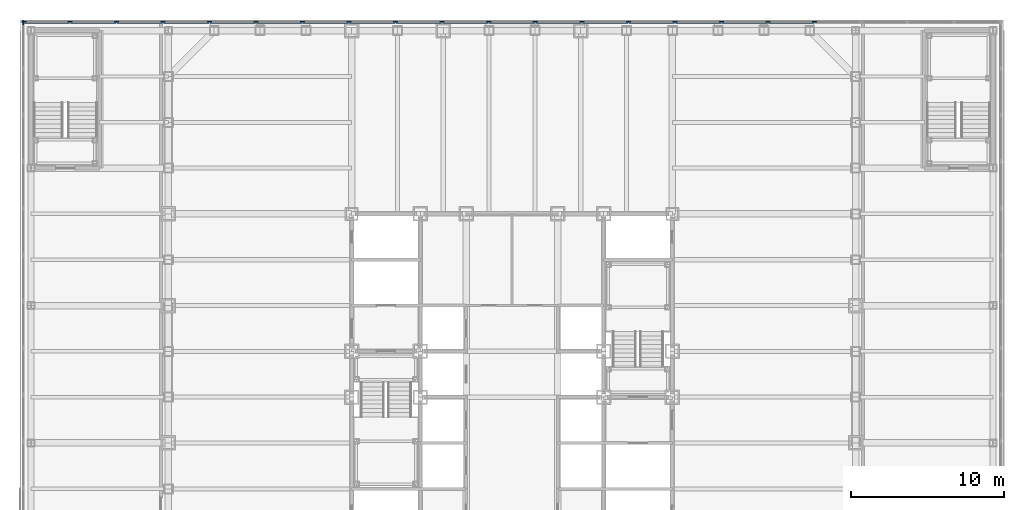
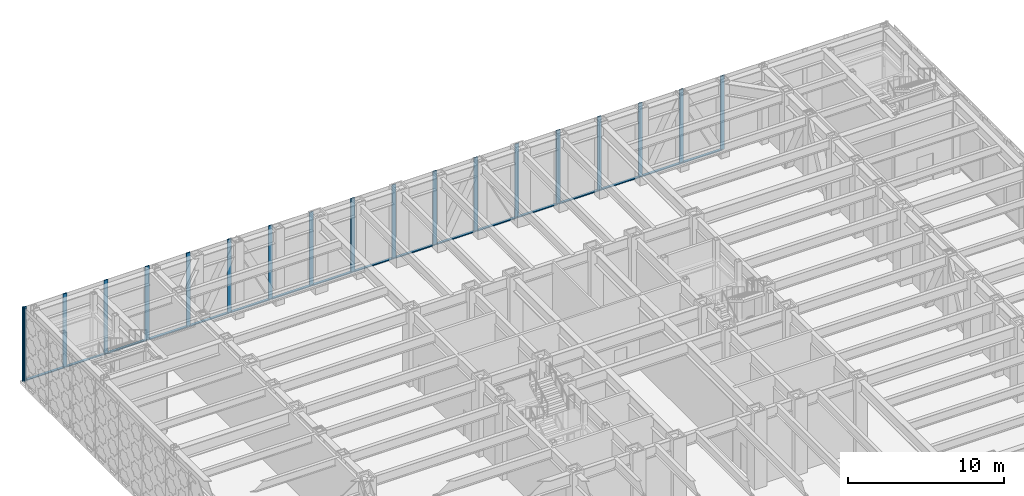
# One storey, part 11 of 32: 36 members, 2 elements without a shape of their own.
"""IFC4 building model written with IfcOpenShell, lengths in metres."""

from ifc_helpers import new_model, si_unit, direction, frame, origin, origin_2d, place, context, subcontext, project, spatial, rectangle, extrude, material, layer, layer_set, material_profile, profile_set, type_object, element, aggregate, save


model = new_model("IFC4")

# Units and contexts
model_context = context("Model", 3, precision=1e-05, world=origin(), true_north=direction((0.0, 1.0)))
body_context = subcontext(model_context, "Body", "Model", "MODEL_VIEW")
ifc_project = project(units=[si_unit("LENGTHUNIT", "METRE"), si_unit("AREAUNIT", "SQUARE_METRE"), si_unit("VOLUMEUNIT", "CUBIC_METRE"), si_unit("PLANEANGLEUNIT", "RADIAN"), si_unit("MASSUNIT", "GRAM", prefix="KILO")], contexts=[model_context])

# Site, building, storey
site_placement = place(None, origin())
site = spatial("IfcSite", under=ifc_project, at=site_placement, CompositionType="ELEMENT")
building_placement = place(site_placement, origin())
building = spatial("IfcBuilding", under=site, at=building_placement, Name="Chuquiago Exchange Tower", CompositionType="ELEMENT")
storey_placement = place(building_placement, frame((0.0, 0.0, 13.5)))
storey = spatial("IfcBuildingStorey", under=building, at=storey_placement, Name="L02", CompositionType="ELEMENT", Elevation=13.5)

# Curtain wall, members
ifc_material_1 = material(Name="Aluminium curtain wall system", Category="aluminium")
ifc_layer = layer(ifc_material_1, 0.300048828125)
ifc_layer_set = layer_set([ifc_layer], Name="CW4 podium curtain wall")
curtain_wall_type = type_object("IfcCurtainWallType", Name="CW4 podium curtain wall", PredefinedType="NOTDEFINED", material=ifc_layer_set)
curtain_wall_1_placement = place(storey_placement, origin())
curtain_wall_1 = element("IfcCurtainWall", 1, at=curtain_wall_1_placement, inside=storey, type_object=curtain_wall_type, Name="CW4 curtain wall L02", PredefinedType="NOTDEFINED")
ifc_material_2 = material(Name="Aluminium mullion, pale anodised", Category="aluminium")
ifc_material_profile_1 = material_profile(ifc_material_2, rectangle(XDim=0.074951171875, YDim=0.300048828125, at=origin_2d()), Name="AL 75x300")
ifc_profile_set_1 = profile_set([ifc_material_profile_1], Name="Aluminium mullion, pale anodised")
member_type_1 = type_object("IfcMemberType", Name="CW4-M mullion 75x300", PredefinedType="MULLION", material=ifc_profile_set_1)
member_1_placement = place(storey_placement, frame((42.3095703125, 45.574951171875, 0.0), z_axis=(0.0, 0.0, 1.0), x_axis=(0.0, -1.0, 0.0)))
member_1 = element("IfcMember", 2, at=member_1_placement, type_object=member_type_1, Name="CW4 mullion 5", PredefinedType="MULLION", context=body_context, shape_type="SweptSolid", body=[
    extrude(rectangle(XDim=0.074951171875, YDim=0.300048828125, at=origin_2d()), origin(), (0.0, 0.0, 1.0), 5.800048828125),
])
member_2_placement = place(storey_placement, frame((39.261962890625, 45.574951171875, 0.0), z_axis=(0.0, 0.0, 1.0), x_axis=(0.0, -1.0, 0.0)))
member_2 = element("IfcMember", 3, at=member_2_placement, type_object=member_type_1, Name="CW4 mullion 6", PredefinedType="MULLION", context=body_context, shape_type="SweptSolid", body=[
    extrude(rectangle(XDim=0.074951171875, YDim=0.300048828125, at=origin_2d()), origin(), (0.0, 0.0, 1.0), 5.800048828125),
])
member_3_placement = place(storey_placement, frame((36.21435546875, 45.574951171875, 0.0), z_axis=(0.0, 0.0, 1.0), x_axis=(0.0, -1.0, 0.0)))
member_3 = element("IfcMember", 4, at=member_3_placement, type_object=member_type_1, Name="CW4 mullion 7", PredefinedType="MULLION", context=body_context, shape_type="SweptSolid", body=[
    extrude(rectangle(XDim=0.074951171875, YDim=0.300048828125, at=origin_2d()), origin(), (0.0, 0.0, 1.0), 5.800048828125),
])
member_4_placement = place(storey_placement, frame((33.166748046875, 45.574951171875, 0.0), z_axis=(0.0, 0.0, 1.0), x_axis=(0.0, -1.0, 0.0)))
member_4 = element("IfcMember", 5, at=member_4_placement, type_object=member_type_1, Name="CW4 mullion 8", PredefinedType="MULLION", context=body_context, shape_type="SweptSolid", body=[
    extrude(rectangle(XDim=0.074951171875, YDim=0.300048828125, at=origin_2d()), origin(), (0.0, 0.0, 1.0), 5.800048828125),
])
member_5_placement = place(storey_placement, frame((30.119140625, 45.574951171875, 0.0), z_axis=(0.0, 0.0, 1.0), x_axis=(0.0, -1.0, 0.0)))
member_5 = element("IfcMember", 6, at=member_5_placement, type_object=member_type_1, Name="CW4 mullion 9", PredefinedType="MULLION", context=body_context, shape_type="SweptSolid", body=[
    extrude(rectangle(XDim=0.074951171875, YDim=0.300048828125, at=origin_2d()), origin(), (0.0, 0.0, 1.0), 5.800048828125),
])
member_6_placement = place(storey_placement, frame((27.071533203125, 45.574951171875, 0.0), z_axis=(0.0, 0.0, 1.0), x_axis=(0.0, -1.0, 0.0)))
member_6 = element("IfcMember", 7, at=member_6_placement, type_object=member_type_1, Name="CW4 mullion 10", PredefinedType="MULLION", context=body_context, shape_type="SweptSolid", body=[
    extrude(rectangle(XDim=0.074951171875, YDim=0.300048828125, at=origin_2d()), origin(), (0.0, 0.0, 1.0), 5.800048828125),
])
member_7_placement = place(storey_placement, frame((24.02392578125, 45.574951171875, 0.0), z_axis=(0.0, 0.0, 1.0), x_axis=(0.0, -1.0, 0.0)))
member_7 = element("IfcMember", 8, at=member_7_placement, type_object=member_type_1, Name="CW4 mullion 11", PredefinedType="MULLION", context=body_context, shape_type="SweptSolid", body=[
    extrude(rectangle(XDim=0.074951171875, YDim=0.300048828125, at=origin_2d()), origin(), (0.0, 0.0, 1.0), 5.800048828125),
])
member_8_placement = place(storey_placement, frame((20.97607421875, 45.574951171875, 0.0), z_axis=(0.0, 0.0, 1.0), x_axis=(0.0, -1.0, 0.0)))
member_8 = element("IfcMember", 9, at=member_8_placement, type_object=member_type_1, Name="CW4 mullion 12", PredefinedType="MULLION", context=body_context, shape_type="SweptSolid", body=[
    extrude(rectangle(XDim=0.074951171875, YDim=0.300048828125, at=origin_2d()), origin(), (0.0, 0.0, 1.0), 5.800048828125),
])
member_9_placement = place(storey_placement, frame((17.928466796875, 45.574951171875, 0.0), z_axis=(0.0, 0.0, 1.0), x_axis=(0.0, -1.0, 0.0)))
member_9 = element("IfcMember", 10, at=member_9_placement, type_object=member_type_1, Name="CW4 mullion 13", PredefinedType="MULLION", context=body_context, shape_type="SweptSolid", body=[
    extrude(rectangle(XDim=0.074951171875, YDim=0.300048828125, at=origin_2d()), origin(), (0.0, 0.0, 1.0), 5.800048828125),
])
member_10_placement = place(storey_placement, frame((14.880859375, 45.574951171875, 0.0), z_axis=(0.0, 0.0, 1.0), x_axis=(0.0, -1.0, 0.0)))
member_10 = element("IfcMember", 11, at=member_10_placement, type_object=member_type_1, Name="CW4 mullion 14", PredefinedType="MULLION", context=body_context, shape_type="SweptSolid", body=[
    extrude(rectangle(XDim=0.074951171875, YDim=0.300048828125, at=origin_2d()), origin(), (0.0, 0.0, 1.0), 5.800048828125),
])
member_11_placement = place(storey_placement, frame((11.833251953125, 45.574951171875, 0.0), z_axis=(0.0, 0.0, 1.0), x_axis=(0.0, -1.0, 0.0)))
member_11 = element("IfcMember", 12, at=member_11_placement, type_object=member_type_1, Name="CW4 mullion 15", PredefinedType="MULLION", context=body_context, shape_type="SweptSolid", body=[
    extrude(rectangle(XDim=0.074951171875, YDim=0.300048828125, at=origin_2d()), origin(), (0.0, 0.0, 1.0), 5.800048828125),
])
member_12_placement = place(storey_placement, frame((8.78564453125, 45.574951171875, 0.0), z_axis=(0.0, 0.0, 1.0), x_axis=(0.0, -1.0, 0.0)))
member_12 = element("IfcMember", 13, at=member_12_placement, type_object=member_type_1, Name="CW4 mullion 16", PredefinedType="MULLION", context=body_context, shape_type="SweptSolid", body=[
    extrude(rectangle(XDim=0.074951171875, YDim=0.300048828125, at=origin_2d()), origin(), (0.0, 0.0, 1.0), 5.800048828125),
])
member_13_placement = place(storey_placement, frame((5.738037109375, 45.574951171875, 0.0), z_axis=(0.0, 0.0, 1.0), x_axis=(0.0, -1.0, 0.0)))
member_13 = element("IfcMember", 14, at=member_13_placement, type_object=member_type_1, Name="CW4 mullion 17", PredefinedType="MULLION", context=body_context, shape_type="SweptSolid", body=[
    extrude(rectangle(XDim=0.074951171875, YDim=0.300048828125, at=origin_2d()), origin(), (0.0, 0.0, 1.0), 5.800048828125),
])
member_14_placement = place(storey_placement, frame((2.6904296875, 45.574951171875, 0.0), z_axis=(0.0, 0.0, 1.0), x_axis=(0.0, -1.0, 0.0)))
member_14 = element("IfcMember", 15, at=member_14_placement, type_object=member_type_1, Name="CW4 mullion 18", PredefinedType="MULLION", context=body_context, shape_type="SweptSolid", body=[
    extrude(rectangle(XDim=0.074951171875, YDim=0.300048828125, at=origin_2d()), origin(), (0.0, 0.0, 1.0), 5.800048828125),
])
member_15_placement = place(storey_placement, frame((-0.357177734375, 45.574951171875, 0.0), z_axis=(0.0, 0.0, 1.0), x_axis=(0.0, -1.0, 0.0)))
member_15 = element("IfcMember", 16, at=member_15_placement, type_object=member_type_1, Name="CW4 mullion 19", PredefinedType="MULLION", context=body_context, shape_type="SweptSolid", body=[
    extrude(rectangle(XDim=0.074951171875, YDim=0.300048828125, at=origin_2d()), origin(), (0.0, 0.0, 1.0), 5.800048828125),
])
member_16_placement = place(storey_placement, frame((-3.40478515625, 45.574951171875, 0.0), z_axis=(0.0, 0.0, 1.0), x_axis=(0.0, -1.0, 0.0)))
member_16 = element("IfcMember", 17, at=member_16_placement, type_object=member_type_1, Name="CW4 mullion 20", PredefinedType="MULLION", context=body_context, shape_type="SweptSolid", body=[
    extrude(rectangle(XDim=0.074951171875, YDim=0.300048828125, at=origin_2d()), origin(), (0.0, 0.0, 1.0), 5.800048828125),
])
member_17_placement = place(storey_placement, frame((-6.452392578125, 45.574951171875, 0.0), z_axis=(0.0, 0.0, 1.0), x_axis=(0.0, -1.0, 0.0)))
member_17 = element("IfcMember", 18, at=member_17_placement, type_object=member_type_1, Name="CW4 mullion 21", PredefinedType="MULLION", context=body_context, shape_type="SweptSolid", body=[
    extrude(rectangle(XDim=0.074951171875, YDim=0.300048828125, at=origin_2d()), origin(), (0.0, 0.0, 1.0), 5.800048828125),
])
member_18_placement = place(storey_placement, frame((-9.46240234375, 45.574951171875, 0.0), z_axis=(0.0, 0.0, 1.0), x_axis=(0.0, -1.0, 0.0)))
member_18 = element("IfcMember", 19, at=member_18_placement, type_object=member_type_1, Name="CW4 mullion 22", PredefinedType="MULLION", context=body_context, shape_type="SweptSolid", body=[
    extrude(rectangle(XDim=0.074951171875, YDim=0.300048828125, at=origin_2d()), origin(), (0.0, 0.0, 1.0), 5.800048828125),
])

# Curtain wall, member
curtain_wall_2_placement = place(storey_placement, origin())
curtain_wall_2 = element("IfcCurtainWall", 20, at=curtain_wall_2_placement, inside=storey, type_object=curtain_wall_type, Name="CW4 curtain wall L02", PredefinedType="NOTDEFINED")
member_19_placement = place(storey_placement, frame((-9.5, 45.53759765625, 0.0), z_axis=(0.0, 0.0, 1.0), x_axis=(1.0, 0.0, 0.0)))
member_19 = element("IfcMember", 21, at=member_19_placement, type_object=member_type_1, Name="CW4 mullion 1", PredefinedType="MULLION", context=body_context, shape_type="SweptSolid", body=[
    extrude(rectangle(XDim=0.074951171875, YDim=0.300048828125, at=origin_2d()), origin(), (0.0, 0.0, 1.0), 5.800048828125),
])
aggregate(curtain_wall_2, [member_19])

# Member
ifc_material_3 = material(Name="Aluminium transom, pale anodised", Category="aluminium")
ifc_material_profile_2 = material_profile(ifc_material_3, rectangle(XDim=0.179931640625, YDim=0.074951171875, at=origin_2d()), Name="AL 180x75")
ifc_profile_set_2 = profile_set([ifc_material_profile_2], Name="Aluminium transom, pale anodised")
member_type_2 = type_object("IfcMemberType", Name="CW4-T transom 75x180", PredefinedType="MULLION", material=ifc_profile_set_2)
member_20_placement = place(storey_placement, frame((42.27197265625, 45.574951171875, 0.03759765625), z_axis=(-1.0, 0.0, 0.0), x_axis=(0.0, -1.0, 0.0)))
member_20 = element("IfcMember", 22, at=member_20_placement, type_object=member_type_2, Name="CW4 transom 5.1", PredefinedType="MULLION", context=body_context, shape_type="SweptSolid", body=[
    extrude(rectangle(XDim=0.179931640625, YDim=0.074951171875, at=origin_2d()), origin(), (0.0, 0.0, 1.0), 2.97265625),
])

member_21_placement = place(storey_placement, frame((39.224365234375, 45.574951171875, 0.03759765625), z_axis=(-1.0, 0.0, 0.0), x_axis=(0.0, -1.0, 0.0)))
member_21 = element("IfcMember", 23, at=member_21_placement, type_object=member_type_2, Name="CW4 transom 6.1", PredefinedType="MULLION", context=body_context, shape_type="SweptSolid", body=[
    extrude(rectangle(XDim=0.179931640625, YDim=0.074951171875, at=origin_2d()), origin(), (0.0, 0.0, 1.0), 2.97265625),
])

member_22_placement = place(storey_placement, frame((36.1767578125, 45.574951171875, 0.03759765625), z_axis=(-1.0, 0.0, 0.0), x_axis=(0.0, -1.0, 0.0)))
member_22 = element("IfcMember", 24, at=member_22_placement, type_object=member_type_2, Name="CW4 transom 7.1", PredefinedType="MULLION", context=body_context, shape_type="SweptSolid", body=[
    extrude(rectangle(XDim=0.179931640625, YDim=0.074951171875, at=origin_2d()), origin(), (0.0, 0.0, 1.0), 2.97265625),
])

member_23_placement = place(storey_placement, frame((33.129150390625, 45.574951171875, 0.03759765625), z_axis=(-1.0, 0.0, 0.0), x_axis=(0.0, -1.0, 0.0)))
member_23 = element("IfcMember", 25, at=member_23_placement, type_object=member_type_2, Name="CW4 transom 8.1", PredefinedType="MULLION", context=body_context, shape_type="SweptSolid", body=[
    extrude(rectangle(XDim=0.179931640625, YDim=0.074951171875, at=origin_2d()), origin(), (0.0, 0.0, 1.0), 2.97265625),
])

member_24_placement = place(storey_placement, frame((30.08154296875, 45.574951171875, 0.03759765625), z_axis=(-1.0, 0.0, 0.0), x_axis=(0.0, -1.0, 0.0)))
member_24 = element("IfcMember", 26, at=member_24_placement, type_object=member_type_2, Name="CW4 transom 9.1", PredefinedType="MULLION", context=body_context, shape_type="SweptSolid", body=[
    extrude(rectangle(XDim=0.179931640625, YDim=0.074951171875, at=origin_2d()), origin(), (0.0, 0.0, 1.0), 2.97265625),
])

member_25_placement = place(storey_placement, frame((27.033935546875, 45.574951171875, 0.03759765625), z_axis=(-1.0, 0.0, 0.0), x_axis=(0.0, -1.0, 0.0)))
member_25 = element("IfcMember", 27, at=member_25_placement, type_object=member_type_2, Name="CW4 transom 10.1", PredefinedType="MULLION", context=body_context, shape_type="SweptSolid", body=[
    extrude(rectangle(XDim=0.179931640625, YDim=0.074951171875, at=origin_2d()), origin(), (0.0, 0.0, 1.0), 2.97265625),
])

member_26_placement = place(storey_placement, frame((23.986328125, 45.574951171875, 0.03759765625), z_axis=(-1.0, 0.0, 0.0), x_axis=(0.0, -1.0, 0.0)))
member_26 = element("IfcMember", 28, at=member_26_placement, type_object=member_type_2, Name="CW4 transom 11.1", PredefinedType="MULLION", context=body_context, shape_type="SweptSolid", body=[
    extrude(rectangle(XDim=0.179931640625, YDim=0.074951171875, at=origin_2d()), origin(), (0.0, 0.0, 1.0), 2.97265625),
])

member_27_placement = place(storey_placement, frame((20.938720703125, 45.574951171875, 0.03759765625), z_axis=(-1.0, 0.0, 0.0), x_axis=(0.0, -1.0, 0.0)))
member_27 = element("IfcMember", 29, at=member_27_placement, type_object=member_type_2, Name="CW4 transom 12.1", PredefinedType="MULLION", context=body_context, shape_type="SweptSolid", body=[
    extrude(rectangle(XDim=0.179931640625, YDim=0.074951171875, at=origin_2d()), origin(), (0.0, 0.0, 1.0), 2.97265625),
])

member_28_placement = place(storey_placement, frame((17.89111328125, 45.574951171875, 0.03759765625), z_axis=(-1.0, 0.0, 0.0), x_axis=(0.0, -1.0, 0.0)))
member_28 = element("IfcMember", 30, at=member_28_placement, type_object=member_type_2, Name="CW4 transom 13.1", PredefinedType="MULLION", context=body_context, shape_type="SweptSolid", body=[
    extrude(rectangle(XDim=0.179931640625, YDim=0.074951171875, at=origin_2d()), origin(), (0.0, 0.0, 1.0), 2.97265625),
])

member_29_placement = place(storey_placement, frame((14.843505859375, 45.574951171875, 0.03759765625), z_axis=(-1.0, 0.0, 0.0), x_axis=(0.0, -1.0, 0.0)))
member_29 = element("IfcMember", 31, at=member_29_placement, type_object=member_type_2, Name="CW4 transom 14.1", PredefinedType="MULLION", context=body_context, shape_type="SweptSolid", body=[
    extrude(rectangle(XDim=0.179931640625, YDim=0.074951171875, at=origin_2d()), origin(), (0.0, 0.0, 1.0), 2.97265625),
])

member_30_placement = place(storey_placement, frame((11.7958984375, 45.574951171875, 0.03759765625), z_axis=(-1.0, 0.0, 0.0), x_axis=(0.0, -1.0, 0.0)))
member_30 = element("IfcMember", 32, at=member_30_placement, type_object=member_type_2, Name="CW4 transom 15.1", PredefinedType="MULLION", context=body_context, shape_type="SweptSolid", body=[
    extrude(rectangle(XDim=0.179931640625, YDim=0.074951171875, at=origin_2d()), origin(), (0.0, 0.0, 1.0), 2.97265625),
])

member_31_placement = place(storey_placement, frame((8.748291015625, 45.574951171875, 0.03759765625), z_axis=(-1.0, 0.0, 0.0), x_axis=(0.0, -1.0, 0.0)))
member_31 = element("IfcMember", 33, at=member_31_placement, type_object=member_type_2, Name="CW4 transom 16.1", PredefinedType="MULLION", context=body_context, shape_type="SweptSolid", body=[
    extrude(rectangle(XDim=0.179931640625, YDim=0.074951171875, at=origin_2d()), origin(), (0.0, 0.0, 1.0), 2.97265625),
])

member_32_placement = place(storey_placement, frame((5.70068359375, 45.574951171875, 0.03759765625), z_axis=(-1.0, 0.0, 0.0), x_axis=(0.0, -1.0, 0.0)))
member_32 = element("IfcMember", 34, at=member_32_placement, type_object=member_type_2, Name="CW4 transom 17.1", PredefinedType="MULLION", context=body_context, shape_type="SweptSolid", body=[
    extrude(rectangle(XDim=0.179931640625, YDim=0.074951171875, at=origin_2d()), origin(), (0.0, 0.0, 1.0), 2.97265625),
])

member_33_placement = place(storey_placement, frame((2.653076171875, 45.574951171875, 0.03759765625), z_axis=(-1.0, 0.0, 0.0), x_axis=(0.0, -1.0, 0.0)))
member_33 = element("IfcMember", 35, at=member_33_placement, type_object=member_type_2, Name="CW4 transom 18.1", PredefinedType="MULLION", context=body_context, shape_type="SweptSolid", body=[
    extrude(rectangle(XDim=0.179931640625, YDim=0.074951171875, at=origin_2d()), origin(), (0.0, 0.0, 1.0), 2.97265625),
])

member_34_placement = place(storey_placement, frame((-0.39453125, 45.574951171875, 0.03759765625), z_axis=(-1.0, 0.0, 0.0), x_axis=(0.0, -1.0, 0.0)))
member_34 = element("IfcMember", 36, at=member_34_placement, type_object=member_type_2, Name="CW4 transom 19.1", PredefinedType="MULLION", context=body_context, shape_type="SweptSolid", body=[
    extrude(rectangle(XDim=0.179931640625, YDim=0.074951171875, at=origin_2d()), origin(), (0.0, 0.0, 1.0), 2.97265625),
])

member_35_placement = place(storey_placement, frame((-3.4423828125, 45.574951171875, 0.03759765625), z_axis=(-1.0, 0.0, 0.0), x_axis=(0.0, -1.0, 0.0)))
member_35 = element("IfcMember", 37, at=member_35_placement, type_object=member_type_2, Name="CW4 transom 20.1", PredefinedType="MULLION", context=body_context, shape_type="SweptSolid", body=[
    extrude(rectangle(XDim=0.179931640625, YDim=0.074951171875, at=origin_2d()), origin(), (0.0, 0.0, 1.0), 2.972412109375),
])

member_36_placement = place(storey_placement, frame((-6.489990234375, 45.574951171875, 0.03759765625), z_axis=(-1.0, 0.0, 0.0), x_axis=(0.0, -1.0, 0.0)))
member_36 = element("IfcMember", 38, at=member_36_placement, type_object=member_type_2, Name="CW4 transom 21.1", PredefinedType="MULLION", context=body_context, shape_type="SweptSolid", body=[
    extrude(rectangle(XDim=0.179931640625, YDim=0.074951171875, at=origin_2d()), origin(), (0.0, 0.0, 1.0), 2.93505859375),
])

aggregate(curtain_wall_1, [member_1, member_2, member_3, member_4, member_5, member_6, member_7, member_8, member_9, member_10, member_11, member_12, member_13, member_14, member_15, member_16, member_17, member_18, member_20, member_21, member_22, member_23, member_24, member_25, member_26, member_27, member_28, member_29, member_30, member_31, member_32, member_33, member_34, member_35, member_36])

save(model, "model.ifc")
